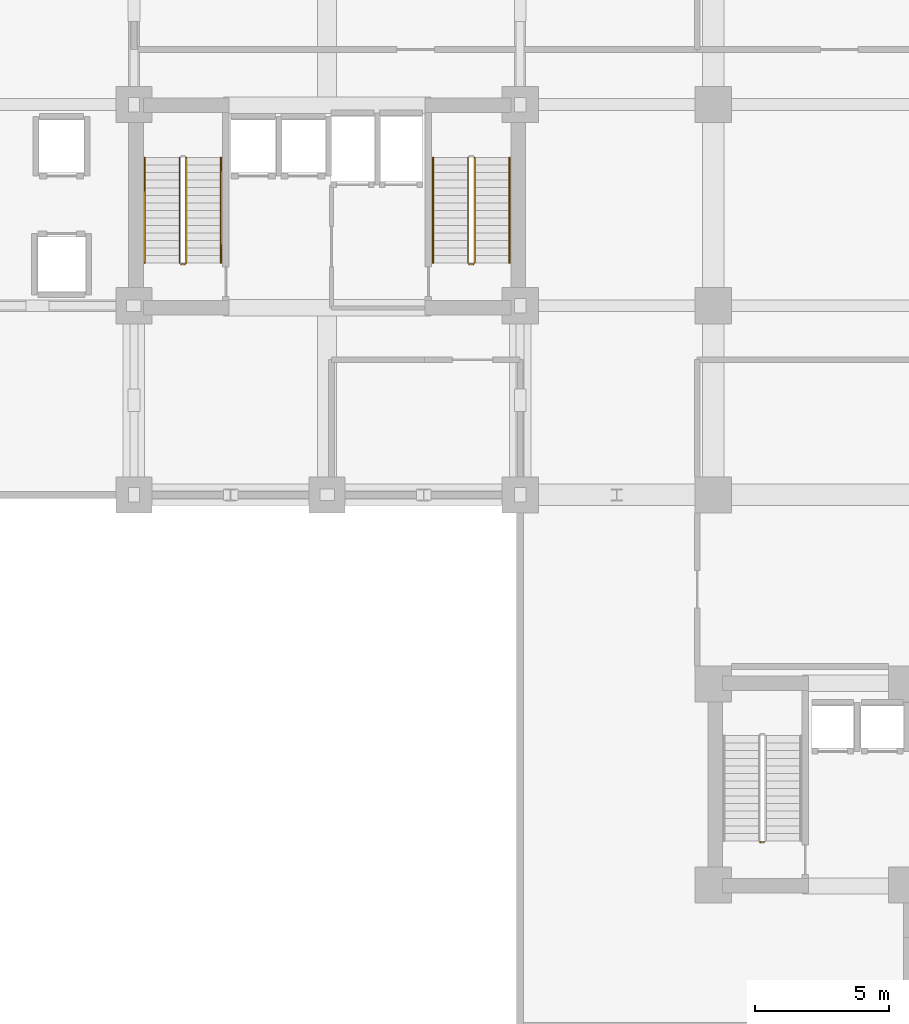
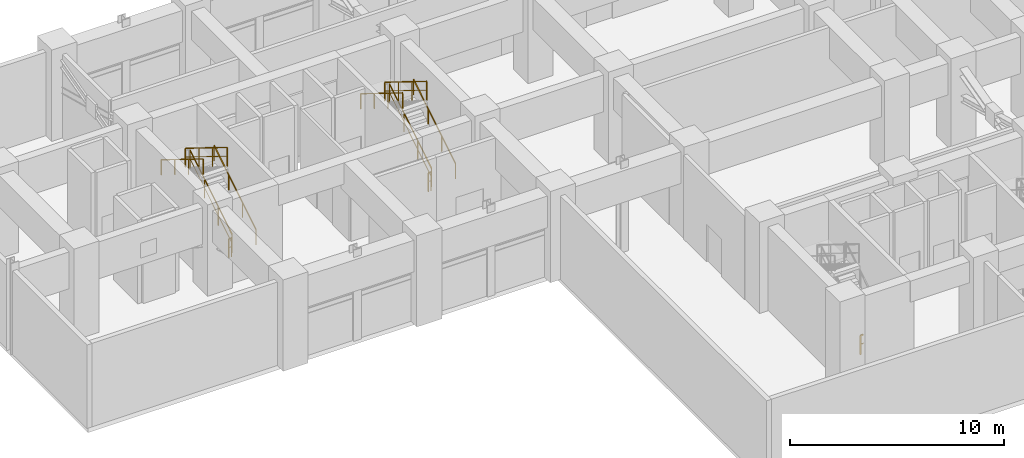
# One storey, part 6 of 8: 11 railings.
"""IFC4 building model written with IfcOpenShell, lengths in metres."""

from ifc_helpers import new_model, si_unit, direction, frame, origin, origin_2d, place, context, subcontext, project, spatial, rectangle, extrude, material, type_object, element, save


model = new_model("IFC4")

# Units and contexts
model_context = context("Model", 3, precision=1e-05, world=origin(), true_north=direction((0.0, 1.0)))
body_context = subcontext(model_context, "Body", "Model", "MODEL_VIEW")
ifc_project = project(units=[si_unit("LENGTHUNIT", "METRE"), si_unit("AREAUNIT", "SQUARE_METRE"), si_unit("VOLUMEUNIT", "CUBIC_METRE"), si_unit("PLANEANGLEUNIT", "RADIAN"), si_unit("MASSUNIT", "GRAM", prefix="KILO")], contexts=[model_context])

# Site, building, storey
site_placement = place(None, origin())
site = spatial("IfcSite", under=ifc_project, at=site_placement, CompositionType="ELEMENT")
building_placement = place(site_placement, origin())
building = spatial("IfcBuilding", under=site, at=building_placement, Name="Kaliganga Portal Commons", CompositionType="ELEMENT")
storey_placement = place(building_placement, frame((0.0, 0.0, 73.39990234375)))
storey = spatial("IfcBuildingStorey", under=building, at=storey_placement, Name="L18", CompositionType="ELEMENT", Elevation=73.39990234375)

# Railings
ifc_material_1 = material(Name="Galvanized Painted Steel Balustrade", Category="steel")
railing_type_1 = type_object("IfcRailingType", Name="RLG-STAIR-GRD", PredefinedType="GUARDRAIL", material=ifc_material_1)
railing_1_placement = place(storey_placement, frame((16.35009765625, 30.25, 0.17333984375)))
element("IfcRailing", 1, at=railing_1_placement, inside=storey, type_object=railing_type_1, Name="L18 ST-A1 stair guard 1", PredefinedType="GUARDRAIL", context=body_context, shape_type="SweptSolid", body=[
    extrude(rectangle(XDim=0.048095703125, YDim=0.048095703125, at=origin_2d()), frame((0.0, 0.0, 1.07177734375), z_axis=(0.0, 0.850251603719, 0.526376491091), x_axis=(-1.0, 0.0, 0.0)), (0.0, 0.0, 1.0), 4.6103515625),
    extrude(rectangle(XDim=0.028076171875, YDim=0.028076171875, at=origin_2d()), frame((0.0, 0.0, 0.572021484375), z_axis=(0.0, 0.850251603719, 0.526376491091), x_axis=(-1.0, 0.0, 0.0)), (0.0, 0.0, 1.0), 4.6103515625),
    extrude(rectangle(XDim=0.0419921875, YDim=0.0419921875, at=origin_2d()), origin(), (0.0, 0.0, 1.0), 1.052001953125),
    extrude(rectangle(XDim=0.0419921875, YDim=0.0419921875, at=origin_2d()), frame((0.0, 1.275390625, 0.78955078125)), (0.0, 0.0, 1.0), 1.052001953125),
    extrude(rectangle(XDim=0.0419921875, YDim=0.0419921875, at=origin_2d()), frame((0.0, 2.55078125, 1.5791015625)), (0.0, 0.0, 1.0), 1.052001953125),
    extrude(rectangle(XDim=0.0419921875, YDim=0.0419921875, at=origin_2d()), frame((0.0, 3.919921875, 2.4267578125)), (0.0, 0.0, 1.0), 1.052001953125),
])
railing_2_placement = place(storey_placement, frame((16.10009765625, 34.169921875, 2.7734375)))
element("IfcRailing", 2, at=railing_2_placement, inside=storey, type_object=railing_type_1, Name="L18 ST-A1 stair guard 3", PredefinedType="GUARDRAIL", context=body_context, shape_type="SweptSolid", body=[
    extrude(rectangle(XDim=0.048095703125, YDim=0.048095703125, at=origin_2d()), frame((0.0, 0.0, 1.07177734375), z_axis=(0.0, -0.850251603719, 0.526376491091), x_axis=(1.0, 0.0, 0.0)), (0.0, 0.0, 1.0), 4.6103515625),
    extrude(rectangle(XDim=0.028076171875, YDim=0.028076171875, at=origin_2d()), frame((0.0, 0.0, 0.572021484375), z_axis=(0.0, -0.850251603719, 0.526376491091), x_axis=(1.0, 0.0, 0.0)), (0.0, 0.0, 1.0), 4.6103515625),
    extrude(rectangle(XDim=0.0419921875, YDim=0.0419921875, at=origin_2d()), origin(), (0.0, 0.0, 1.0), 1.052001953125),
    extrude(rectangle(XDim=0.0419921875, YDim=0.0419921875, at=origin_2d()), frame((0.0, -1.275390625, 0.78955078125)), (0.0, 0.0, 1.0), 1.052001953125),
    extrude(rectangle(XDim=0.0419921875, YDim=0.0419921875, at=origin_2d()), frame((0.0, -2.55078125, 1.5791015625)), (0.0, 0.0, 1.0), 1.052001953125),
    extrude(rectangle(XDim=0.0419921875, YDim=0.0419921875, at=origin_2d()), frame((0.0, -3.919921875, 2.4267578125)), (0.0, 0.0, 1.0), 1.052001953125),
])
railing_3_placement = place(storey_placement, frame((16.300048828125, 30.199951171875, 0.0)))
element("IfcRailing", 3, at=railing_3_placement, inside=storey, type_object=railing_type_1, Name="L18 ST-A1 stair guard 4", PredefinedType="GUARDRAIL", context=body_context, shape_type="SweptSolid", body=[
    extrude(rectangle(XDim=0.048095703125, YDim=0.048095703125, at=origin_2d()), frame((0.0, 0.0, 1.076171875), z_axis=(-1.0, 0.0, 0.0), x_axis=(0.0, -1.0, 0.0)), (0.0, 0.0, 1.0), 0.150146484375),
    extrude(rectangle(XDim=0.028076171875, YDim=0.028076171875, at=origin_2d()), frame((0.0, 0.0, 0.572021484375), z_axis=(-1.0, 0.0, 0.0), x_axis=(0.0, -1.0, 0.0)), (0.0, 0.0, 1.0), 0.150146484375),
    extrude(rectangle(XDim=0.0419921875, YDim=0.0419921875, at=origin_2d()), origin(), (0.0, 0.0, 1.0), 1.052001953125),
    extrude(rectangle(XDim=0.0419921875, YDim=0.0419921875, at=origin_2d()), frame((-0.150146484375, 0.0, 0.0)), (0.0, 0.0, 1.0), 1.052001953125),
])
railing_4_placement = place(storey_placement, frame((27.10009765625, 30.25, 0.17333984375)))
element("IfcRailing", 4, at=railing_4_placement, inside=storey, type_object=railing_type_1, Name="L18 ST-A2 stair guard 1", PredefinedType="GUARDRAIL", context=body_context, shape_type="SweptSolid", body=[
    extrude(rectangle(XDim=0.048095703125, YDim=0.048095703125, at=origin_2d()), frame((0.0, 0.0, 1.07177734375), z_axis=(0.0, 0.850251603719, 0.526376491091), x_axis=(-1.0, 0.0, 0.0)), (0.0, 0.0, 1.0), 4.6103515625),
    extrude(rectangle(XDim=0.028076171875, YDim=0.028076171875, at=origin_2d()), frame((0.0, 0.0, 0.572021484375), z_axis=(0.0, 0.850251603719, 0.526376491091), x_axis=(-1.0, 0.0, 0.0)), (0.0, 0.0, 1.0), 4.6103515625),
    extrude(rectangle(XDim=0.0419921875, YDim=0.0419921875, at=origin_2d()), origin(), (0.0, 0.0, 1.0), 1.052001953125),
    extrude(rectangle(XDim=0.0419921875, YDim=0.0419921875, at=origin_2d()), frame((0.0, 1.275390625, 0.78955078125)), (0.0, 0.0, 1.0), 1.052001953125),
    extrude(rectangle(XDim=0.0419921875, YDim=0.0419921875, at=origin_2d()), frame((0.0, 2.55078125, 1.5791015625)), (0.0, 0.0, 1.0), 1.052001953125),
    extrude(rectangle(XDim=0.0419921875, YDim=0.0419921875, at=origin_2d()), frame((0.0, 3.919921875, 2.4267578125)), (0.0, 0.0, 1.0), 1.052001953125),
])
railing_5_placement = place(storey_placement, frame((26.85009765625, 34.169921875, 2.7734375)))
element("IfcRailing", 5, at=railing_5_placement, inside=storey, type_object=railing_type_1, Name="L18 ST-A2 stair guard 3", PredefinedType="GUARDRAIL", context=body_context, shape_type="SweptSolid", body=[
    extrude(rectangle(XDim=0.048095703125, YDim=0.048095703125, at=origin_2d()), frame((0.0, 0.0, 1.07177734375), z_axis=(0.0, -0.850251603719, 0.526376491091), x_axis=(1.0, 0.0, 0.0)), (0.0, 0.0, 1.0), 4.6103515625),
    extrude(rectangle(XDim=0.028076171875, YDim=0.028076171875, at=origin_2d()), frame((0.0, 0.0, 0.572021484375), z_axis=(0.0, -0.850251603719, 0.526376491091), x_axis=(1.0, 0.0, 0.0)), (0.0, 0.0, 1.0), 4.6103515625),
    extrude(rectangle(XDim=0.0419921875, YDim=0.0419921875, at=origin_2d()), origin(), (0.0, 0.0, 1.0), 1.052001953125),
    extrude(rectangle(XDim=0.0419921875, YDim=0.0419921875, at=origin_2d()), frame((0.0, -1.275390625, 0.78955078125)), (0.0, 0.0, 1.0), 1.052001953125),
    extrude(rectangle(XDim=0.0419921875, YDim=0.0419921875, at=origin_2d()), frame((0.0, -2.55078125, 1.5791015625)), (0.0, 0.0, 1.0), 1.052001953125),
    extrude(rectangle(XDim=0.0419921875, YDim=0.0419921875, at=origin_2d()), frame((0.0, -3.919921875, 2.4267578125)), (0.0, 0.0, 1.0), 1.052001953125),
])
railing_6_placement = place(storey_placement, frame((27.050048828125, 30.199951171875, 0.0)))
element("IfcRailing", 6, at=railing_6_placement, inside=storey, type_object=railing_type_1, Name="L18 ST-A2 stair guard 4", PredefinedType="GUARDRAIL", context=body_context, shape_type="SweptSolid", body=[
    extrude(rectangle(XDim=0.048095703125, YDim=0.048095703125, at=origin_2d()), frame((0.0, 0.0, 1.076171875), z_axis=(-1.0, 0.0, 0.0), x_axis=(0.0, -1.0, 0.0)), (0.0, 0.0, 1.0), 0.150146484375),
    extrude(rectangle(XDim=0.028076171875, YDim=0.028076171875, at=origin_2d()), frame((0.0, 0.0, 0.572021484375), z_axis=(-1.0, 0.0, 0.0), x_axis=(0.0, -1.0, 0.0)), (0.0, 0.0, 1.0), 0.150146484375),
    extrude(rectangle(XDim=0.0419921875, YDim=0.0419921875, at=origin_2d()), origin(), (0.0, 0.0, 1.0), 1.052001953125),
    extrude(rectangle(XDim=0.0419921875, YDim=0.0419921875, at=origin_2d()), frame((-0.150146484375, 0.0, 0.0)), (0.0, 0.0, 1.0), 1.052001953125),
])
railing_7_placement = place(storey_placement, frame((37.89990234375, 8.64990234375, 0.0)))
element("IfcRailing", 7, at=railing_7_placement, inside=storey, type_object=railing_type_1, Name="L18 ST-B1 stair guard 4", PredefinedType="GUARDRAIL", context=body_context, shape_type="SweptSolid", body=[
    extrude(rectangle(XDim=0.048095703125, YDim=0.048095703125, at=origin_2d()), frame((0.0, 0.0, 1.076171875), z_axis=(-1.0, 0.0, 0.0), x_axis=(0.0, -1.0, 0.0)), (0.0, 0.0, 1.0), 0.14990234375),
    extrude(rectangle(XDim=0.028076171875, YDim=0.028076171875, at=origin_2d()), frame((0.0, 0.0, 0.572021484375), z_axis=(-1.0, 0.0, 0.0), x_axis=(0.0, -1.0, 0.0)), (0.0, 0.0, 1.0), 0.14990234375),
    extrude(rectangle(XDim=0.0419921875, YDim=0.0419921875, at=origin_2d()), frame((-0.14990234375, 0.0, 0.0)), (0.0, 0.0, 1.0), 1.052001953125),
])
ifc_material_2 = material(Name="Brushed Stainless Steel 316", Category="steel")
railing_type_2 = type_object("IfcRailingType", Name="RLG-STAIR-HR", PredefinedType="HANDRAIL", material=ifc_material_2)
railing_8_placement = place(storey_placement, frame((17.64990234375, 30.25, 0.17333984375)))
element("IfcRailing", 8, at=railing_8_placement, inside=storey, type_object=railing_type_2, Name="L18 ST-A1 stair handrail 1", PredefinedType="HANDRAIL", context=body_context, shape_type="SweptSolid", body=[
    extrude(rectangle(XDim=0.048095703125, YDim=0.048095703125, at=origin_2d()), frame((0.0, 0.0, 0.87158203125), z_axis=(0.0, 0.850251603719, 0.526376491091), x_axis=(-1.0, 0.0, 0.0)), (0.0, 0.0, 1.0), 4.6103515625),
    extrude(rectangle(XDim=0.0419921875, YDim=0.0419921875, at=origin_2d()), origin(), (0.0, 0.0, 1.0), 0.851806640625),
    extrude(rectangle(XDim=0.0419921875, YDim=0.0419921875, at=origin_2d()), frame((0.0, 1.275390625, 0.78955078125)), (0.0, 0.0, 1.0), 0.851806640625),
    extrude(rectangle(XDim=0.0419921875, YDim=0.0419921875, at=origin_2d()), frame((0.0, 2.55078125, 1.5791015625)), (0.0, 0.0, 1.0), 0.851806640625),
    extrude(rectangle(XDim=0.0419921875, YDim=0.0419921875, at=origin_2d()), frame((0.0, 3.919921875, 2.4267578125)), (0.0, 0.0, 1.0), 0.851806640625),
])
railing_9_placement = place(storey_placement, frame((14.800048828125, 34.169921875, 2.7734375)))
element("IfcRailing", 9, at=railing_9_placement, inside=storey, type_object=railing_type_2, Name="L18 ST-A1 stair handrail 2", PredefinedType="HANDRAIL", context=body_context, shape_type="SweptSolid", body=[
    extrude(rectangle(XDim=0.048095703125, YDim=0.048095703125, at=origin_2d()), frame((0.0, 0.0, 0.87158203125), z_axis=(0.0, -0.850251603719, 0.526376491091), x_axis=(1.0, 0.0, 0.0)), (0.0, 0.0, 1.0), 4.6103515625),
    extrude(rectangle(XDim=0.0419921875, YDim=0.0419921875, at=origin_2d()), origin(), (0.0, 0.0, 1.0), 0.851806640625),
    extrude(rectangle(XDim=0.0419921875, YDim=0.0419921875, at=origin_2d()), frame((0.0, -1.275390625, 0.78955078125)), (0.0, 0.0, 1.0), 0.851806640625),
    extrude(rectangle(XDim=0.0419921875, YDim=0.0419921875, at=origin_2d()), frame((0.0, -2.55078125, 1.5791015625)), (0.0, 0.0, 1.0), 0.851806640625),
    extrude(rectangle(XDim=0.0419921875, YDim=0.0419921875, at=origin_2d()), frame((0.0, -3.919921875, 2.4267578125)), (0.0, 0.0, 1.0), 0.851806640625),
])
railing_10_placement = place(storey_placement, frame((28.39990234375, 30.25, 0.17333984375)))
element("IfcRailing", 10, at=railing_10_placement, inside=storey, type_object=railing_type_2, Name="L18 ST-A2 stair handrail 1", PredefinedType="HANDRAIL", context=body_context, shape_type="SweptSolid", body=[
    extrude(rectangle(XDim=0.048095703125, YDim=0.048095703125, at=origin_2d()), frame((0.0, 0.0, 0.87158203125), z_axis=(0.0, 0.850251603719, 0.526376491091), x_axis=(-1.0, 0.0, 0.0)), (0.0, 0.0, 1.0), 4.6103515625),
    extrude(rectangle(XDim=0.0419921875, YDim=0.0419921875, at=origin_2d()), origin(), (0.0, 0.0, 1.0), 0.851806640625),
    extrude(rectangle(XDim=0.0419921875, YDim=0.0419921875, at=origin_2d()), frame((0.0, 1.275390625, 0.78955078125)), (0.0, 0.0, 1.0), 0.851806640625),
    extrude(rectangle(XDim=0.0419921875, YDim=0.0419921875, at=origin_2d()), frame((0.0, 2.55078125, 1.5791015625)), (0.0, 0.0, 1.0), 0.851806640625),
    extrude(rectangle(XDim=0.0419921875, YDim=0.0419921875, at=origin_2d()), frame((0.0, 3.919921875, 2.4267578125)), (0.0, 0.0, 1.0), 0.851806640625),
])
railing_11_placement = place(storey_placement, frame((25.550048828125, 34.169921875, 2.7734375)))
element("IfcRailing", 11, at=railing_11_placement, inside=storey, type_object=railing_type_2, Name="L18 ST-A2 stair handrail 2", PredefinedType="HANDRAIL", context=body_context, shape_type="SweptSolid", body=[
    extrude(rectangle(XDim=0.048095703125, YDim=0.048095703125, at=origin_2d()), frame((0.0, 0.0, 0.87158203125), z_axis=(0.0, -0.850251603719, 0.526376491091), x_axis=(1.0, 0.0, 0.0)), (0.0, 0.0, 1.0), 4.6103515625),
    extrude(rectangle(XDim=0.0419921875, YDim=0.0419921875, at=origin_2d()), origin(), (0.0, 0.0, 1.0), 0.851806640625),
    extrude(rectangle(XDim=0.0419921875, YDim=0.0419921875, at=origin_2d()), frame((0.0, -1.275390625, 0.78955078125)), (0.0, 0.0, 1.0), 0.851806640625),
    extrude(rectangle(XDim=0.0419921875, YDim=0.0419921875, at=origin_2d()), frame((0.0, -2.55078125, 1.5791015625)), (0.0, 0.0, 1.0), 0.851806640625),
    extrude(rectangle(XDim=0.0419921875, YDim=0.0419921875, at=origin_2d()), frame((0.0, -3.919921875, 2.4267578125)), (0.0, 0.0, 1.0), 0.851806640625),
])

save(model, "model.ifc")
